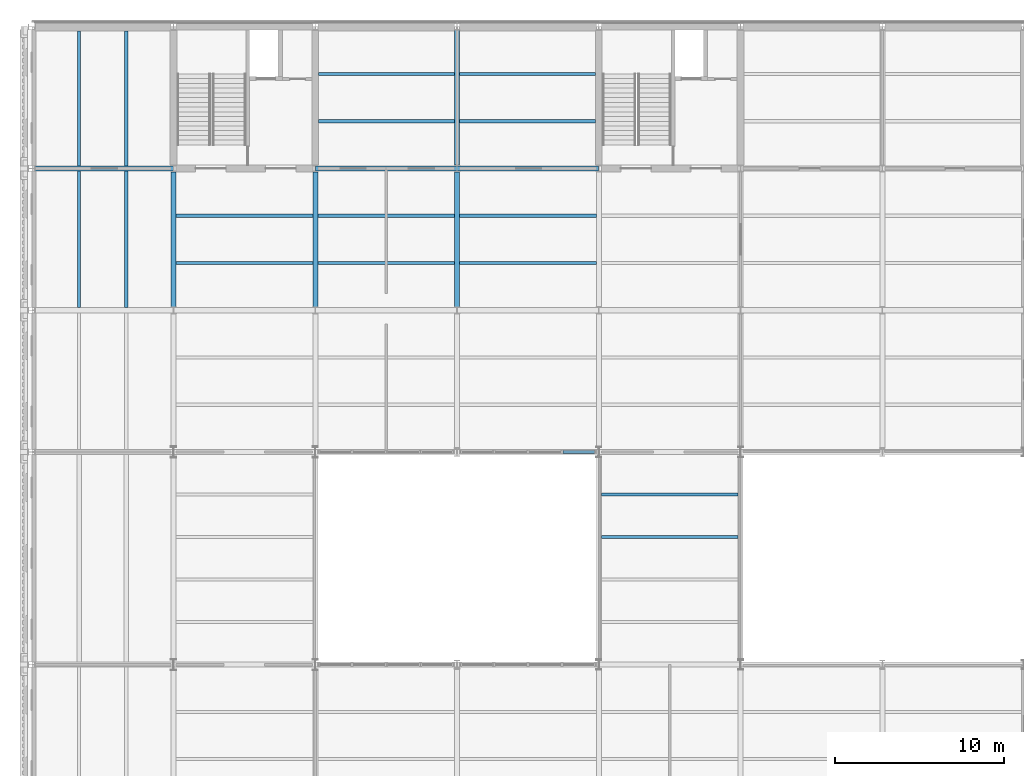
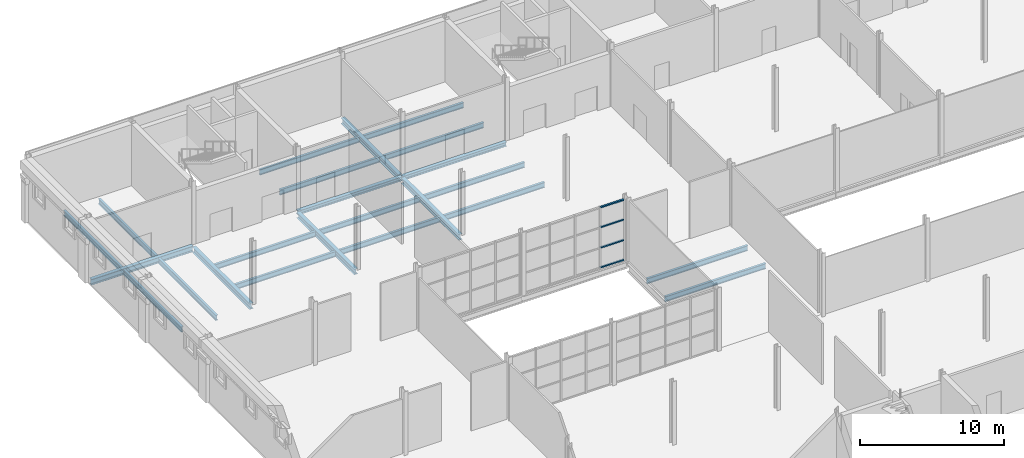
# One storey, part 15 of 57: 23 beams, 4 members, 1 element without a shape of its own.
"""IFC4 building model written with IfcOpenShell, lengths in metres."""

from ifc_helpers import new_model, si_unit, direction, frame, origin, origin_2d, place, context, subcontext, project, spatial, hollow_rectangle, i_section, extrude, material, layer, layer_set, material_profile, profile_set, type_object, element, aggregate, save


model = new_model("IFC4")

# Units and contexts
model_context = context("Model", 3, precision=1e-05, world=origin(), true_north=direction((0.0, 1.0)))
body_context = subcontext(model_context, "Body", "Model", "MODEL_VIEW")
ifc_project = project(units=[si_unit("LENGTHUNIT", "METRE"), si_unit("AREAUNIT", "SQUARE_METRE"), si_unit("VOLUMEUNIT", "CUBIC_METRE"), si_unit("PLANEANGLEUNIT", "RADIAN"), si_unit("MASSUNIT", "GRAM", prefix="KILO")], contexts=[model_context])

# Site, building, storey
site_placement = place(None, origin())
site = spatial("IfcSite", under=ifc_project, at=site_placement, CompositionType="ELEMENT")
building_placement = place(site_placement, origin())
building = spatial("IfcBuilding", under=site, at=building_placement, Name="Galleria Vessillo Department Store", CompositionType="ELEMENT")
storey_placement = place(building_placement, frame((0.0, 0.0, 25.800048828125)))
storey = spatial("IfcBuildingStorey", under=building, at=storey_placement, Name="L05", CompositionType="ELEMENT", Elevation=25.800048828125)

# Beams
ifc_material_1 = material(Name="Steel S355 J2", Category="steel")
ifc_material_profile_1 = material_profile(ifc_material_1, i_section(OverallWidth=0.300048828125, OverallDepth=0.489990234375, WebThickness=0.011962890625, FlangeThickness=0.02294921875, FilletRadius=0.027099609375, at=origin_2d()), Name="HEA 500")
ifc_profile_set_1 = profile_set([ifc_material_profile_1], Name="Steel S355 J2")
beam_type_1 = type_object("IfcBeamType", Name="Floor girder HEA 500", PredefinedType="BEAM", material=ifc_profile_set_1)
beam_placement = place(storey_placement, frame((0.2001953125, 54.60009765625, -0.39501953125), z_axis=(1.0, 0.0, 0.0), x_axis=(0.0, 1.0, 0.0)))
element("IfcBeam", 1, at=beam_placement, inside=storey, type_object=beam_type_1, Name="S-BM-L05-GI-x54600-200", PredefinedType="BEAM", context=body_context, shape_type="SweptSolid", body=[
    extrude(i_section(OverallWidth=0.300048828125, OverallDepth=0.489990234375, WebThickness=0.011962890625, FlangeThickness=0.02294921875, FilletRadius=0.027099609375, at=origin_2d()), origin(), (0.0, 0.0, 1.0), 8.19287109375),
])
for number, where, z_axis, x_axis, name in (
    (2, (8.39990234375, 46.400146484375, -0.39501953125), (0.0, 1.0, 0.0), (-1.0, 0.0, 0.0), "S-BM-L05-GI-y8400-46400"),
    (3, (16.800048828125, 46.400146484375, -0.39501953125), (0.0, 1.0, 0.0), (-1.0, 0.0, 0.0), "S-BM-L05-GI-y16800-46400"),
    (4, (25.199951171875, 46.400146484375, -0.39501953125), (0.0, 1.0, 0.0), (-1.0, 0.0, 0.0), "S-BM-L05-GI-y25200-46400"),
    (5, (25.199951171875, 54.800048828125, -0.39501953125), (0.0, 1.0, 0.0), (-1.0, 0.0, 0.0), "S-BM-L05-GI-y25200-54800"),
):
    element("IfcBeam", number, at=place(storey_placement, frame(where, z_axis=z_axis, x_axis=x_axis)), inside=storey, type_object=beam_type_1, Name=name, PredefinedType="BEAM", context=body_context, shape_type="SweptSolid", body=[
        extrude(i_section(OverallWidth=0.300048828125, OverallDepth=0.489990234375, WebThickness=0.011962890625, FlangeThickness=0.02294921875, FilletRadius=0.027099609375, at=origin_2d()), origin(), (0.0, 0.0, 1.0), 7.999755859375),
    ])
ifc_material_2 = material(Name="Steel S355 J2", Category="steel")
ifc_material_profile_2 = material_profile(ifc_material_2, i_section(OverallWidth=0.18994140625, OverallDepth=0.449951171875, WebThickness=0.009521484375, FlangeThickness=0.0146484375, FilletRadius=0.02099609375, at=origin_2d()), Name="IPE 450")
ifc_profile_set_2 = profile_set([ifc_material_profile_2], Name="Steel S355 J2")
beam_type_2 = type_object("IfcBeamType", Name="Floor joist IPE 450", PredefinedType="JOIST", material=ifc_profile_set_2)
for number, where, z_axis, x_axis, name in (
    (6, (2.800048828125, 46.35009765625, -0.375), (0.0, 1.0, 0.0), (-1.0, 0.0, 0.0), "S-BM-L05-JO-y2800-46350"),
    (7, (5.60009765625, 46.35009765625, -0.375), (0.0, 1.0, 0.0), (-1.0, 0.0, 0.0), "S-BM-L05-JO-y5600-46350"),
):
    element("IfcBeam", number, at=place(storey_placement, frame(where, z_axis=z_axis, x_axis=x_axis)), inside=storey, type_object=beam_type_2, Name=name, PredefinedType="JOIST", context=body_context, shape_type="SweptSolid", body=[
        extrude(i_section(OverallWidth=0.18994140625, OverallDepth=0.449951171875, WebThickness=0.009521484375, FlangeThickness=0.0146484375, FilletRadius=0.02099609375, at=origin_2d()), origin(), (0.0, 0.0, 1.0), 8.099853515625),
    ])
for number, where, z_axis, x_axis, name in (
    (8, (2.800048828125, 54.750244140625, -0.375), (0.0, 1.0, 0.0), (-1.0, 0.0, 0.0), "S-BM-L05-JO-y2800-54750"),
    (9, (5.60009765625, 54.750244140625, -0.375), (0.0, 1.0, 0.0), (-1.0, 0.0, 0.0), "S-BM-L05-JO-y5600-54750"),
):
    element("IfcBeam", number, at=place(storey_placement, frame(where, z_axis=z_axis, x_axis=x_axis)), inside=storey, type_object=beam_type_2, Name=name, PredefinedType="JOIST", context=body_context, shape_type="SweptSolid", body=[
        extrude(i_section(OverallWidth=0.18994140625, OverallDepth=0.449951171875, WebThickness=0.009521484375, FlangeThickness=0.0146484375, FilletRadius=0.02099609375, at=origin_2d()), origin(), (0.0, 0.0, 1.0), 7.99951171875),
    ])
for number, where, z_axis, x_axis, name in (
    (10, (8.550048828125, 49.0, -0.375), (1.0, 0.0, 0.0), (0.0, 1.0, 0.0), "S-BM-L05-JO-x49000-8550"),
    (11, (8.550048828125, 51.800048828125, -0.375), (1.0, 0.0, 0.0), (0.0, 1.0, 0.0), "S-BM-L05-JO-x51800-8550"),
):
    element("IfcBeam", number, at=place(storey_placement, frame(where, z_axis=z_axis, x_axis=x_axis)), inside=storey, type_object=beam_type_2, Name=name, PredefinedType="JOIST", context=body_context, shape_type="SweptSolid", body=[
        extrude(i_section(OverallWidth=0.18994140625, OverallDepth=0.449951171875, WebThickness=0.009521484375, FlangeThickness=0.0146484375, FilletRadius=0.02099609375, at=origin_2d()), origin(), (0.0, 0.0, 1.0), 8.099853515625),
    ])
for number, where, z_axis, x_axis, name in (
    (12, (16.9501953125, 49.0, -0.375), (1.0, 0.0, 0.0), (0.0, 1.0, 0.0), "S-BM-L05-JO-x49000-16950"),
    (13, (16.9501953125, 51.800048828125, -0.375), (1.0, 0.0, 0.0), (0.0, 1.0, 0.0), "S-BM-L05-JO-x51800-16950"),
):
    element("IfcBeam", number, at=place(storey_placement, frame(where, z_axis=z_axis, x_axis=x_axis)), inside=storey, type_object=beam_type_2, Name=name, PredefinedType="JOIST", context=body_context, shape_type="SweptSolid", body=[
        extrude(i_section(OverallWidth=0.18994140625, OverallDepth=0.449951171875, WebThickness=0.009521484375, FlangeThickness=0.0146484375, FilletRadius=0.02099609375, at=origin_2d()), origin(), (0.0, 0.0, 1.0), 8.099609375),
    ])
for number, where, z_axis, x_axis, name in (
    (14, (17.000244140625, 57.39990234375, -0.375), (1.0, 0.0, 0.0), (0.0, 1.0, 0.0), "S-BM-L05-JO-x57400-17000"),
    (15, (17.000244140625, 60.199951171875, -0.375), (1.0, 0.0, 0.0), (0.0, 1.0, 0.0), "S-BM-L05-JO-x60200-17000"),
):
    element("IfcBeam", number, at=place(storey_placement, frame(where, z_axis=z_axis, x_axis=x_axis)), inside=storey, type_object=beam_type_2, Name=name, PredefinedType="JOIST", context=body_context, shape_type="SweptSolid", body=[
        extrude(i_section(OverallWidth=0.18994140625, OverallDepth=0.449951171875, WebThickness=0.009521484375, FlangeThickness=0.0146484375, FilletRadius=0.02099609375, at=origin_2d()), origin(), (0.0, 0.0, 1.0), 8.049560546875),
    ])
for number, where, z_axis, x_axis, name in (
    (16, (25.35009765625, 49.0, -0.375), (1.0, 0.0, 0.0), (0.0, 1.0, 0.0), "S-BM-L05-JO-x49000-25350"),
    (17, (25.35009765625, 51.800048828125, -0.375), (1.0, 0.0, 0.0), (0.0, 1.0, 0.0), "S-BM-L05-JO-x51800-25350"),
):
    element("IfcBeam", number, at=place(storey_placement, frame(where, z_axis=z_axis, x_axis=x_axis)), inside=storey, type_object=beam_type_2, Name=name, PredefinedType="JOIST", context=body_context, shape_type="SweptSolid", body=[
        extrude(i_section(OverallWidth=0.18994140625, OverallDepth=0.449951171875, WebThickness=0.009521484375, FlangeThickness=0.0146484375, FilletRadius=0.02099609375, at=origin_2d()), origin(), (0.0, 0.0, 1.0), 8.099853515625),
    ])
for number, where, z_axis, x_axis, name in (
    (18, (25.35009765625, 57.39990234375, -0.375), (1.0, 0.0, 0.0), (0.0, 1.0, 0.0), "S-BM-L05-JO-x57400-25350"),
    (19, (25.35009765625, 60.199951171875, -0.375), (1.0, 0.0, 0.0), (0.0, 1.0, 0.0), "S-BM-L05-JO-x60200-25350"),
):
    element("IfcBeam", number, at=place(storey_placement, frame(where, z_axis=z_axis, x_axis=x_axis)), inside=storey, type_object=beam_type_2, Name=name, PredefinedType="JOIST", context=body_context, shape_type="SweptSolid", body=[
        extrude(i_section(OverallWidth=0.18994140625, OverallDepth=0.449951171875, WebThickness=0.009521484375, FlangeThickness=0.0146484375, FilletRadius=0.02099609375, at=origin_2d()), origin(), (0.0, 0.0, 1.0), 8.0498046875),
    ])
for number, where, z_axis, x_axis, name in (
    (20, (33.750244140625, 32.760009765625, -0.375), (1.0, 0.0, 0.0), (0.0, 1.0, 0.0), "S-BM-L05-JO-x32760-33750"),
    (21, (33.750244140625, 35.280029296875, -0.375), (1.0, 0.0, 0.0), (0.0, 1.0, 0.0), "S-BM-L05-JO-x35280-33750"),
):
    element("IfcBeam", number, at=place(storey_placement, frame(where, z_axis=z_axis, x_axis=x_axis)), inside=storey, type_object=beam_type_2, Name=name, PredefinedType="JOIST", context=body_context, shape_type="SweptSolid", body=[
        extrude(i_section(OverallWidth=0.18994140625, OverallDepth=0.449951171875, WebThickness=0.009521484375, FlangeThickness=0.0146484375, FilletRadius=0.02099609375, at=origin_2d()), origin(), (0.0, 0.0, 1.0), 8.099609375),
    ])
ifc_material_3 = material(Name="Steel S355 J2", Category="steel")
ifc_material_profile_3 = material_profile(ifc_material_3, i_section(OverallWidth=0.300048828125, OverallDepth=0.35009765625, WebThickness=0.010009765625, FlangeThickness=0.017578125, FilletRadius=0.027099609375, at=origin_2d()), Name="HEA 360")
ifc_profile_set_3 = profile_set([ifc_material_profile_3], Name="Steel S355 J2")
beam_type_3 = type_object("IfcBeamType", Name="Floor tie girder HEA 360", PredefinedType="BEAM", material=ifc_profile_set_3)
for number, where, z_axis, x_axis, name in (
    (22, (16.806884765625, 54.60009765625, -0.324951171875), (1.0, 0.0, 0.0), (0.0, 1.0, 0.0), "S-BM-L05-TI-x54600-16807"),
    (23, (25.206787109375, 54.60009765625, -0.324951171875), (1.0, 0.0, 0.0), (0.0, 1.0, 0.0), "S-BM-L05-TI-x54600-25207"),
):
    element("IfcBeam", number, at=place(storey_placement, frame(where, z_axis=z_axis, x_axis=x_axis)), inside=storey, type_object=beam_type_3, Name=name, PredefinedType="BEAM", context=body_context, shape_type="SweptSolid", body=[
        extrude(i_section(OverallWidth=0.300048828125, OverallDepth=0.35009765625, WebThickness=0.010009765625, FlangeThickness=0.017578125, FilletRadius=0.027099609375, at=origin_2d()), origin(), (0.0, 0.0, 1.0), 8.38623046875),
    ])

# Curtain wall, members
ifc_material_4 = material(Name="Steel and fire-resisting glass curtain wall", Category="steel")
ifc_layer = layer(ifc_material_4, 0.199951171875)
ifc_layer_set = layer_set([ifc_layer], Name="Steel and fire-resisting glass curtain wall")
curtain_wall_type = type_object("IfcCurtainWallType", Name="Arcade fire-resisting glazed shopfront EI 120-Sa", PredefinedType="NOTDEFINED", material=ifc_layer_set)
curtain_wall_placement = place(storey_placement, origin())
curtain_wall = element("IfcCurtainWall", 24, at=curtain_wall_placement, inside=storey, type_object=curtain_wall_type, Name="Arcade fire-resisting glazed shopfront EI 120-Sa AI-AW-N-L05-02", PredefinedType="NOTDEFINED")
ifc_material_5 = material(Name="Steel S355 J2", Category="steel")
ifc_material_profile_4 = material_profile(ifc_material_5, hollow_rectangle(XDim=0.14990234375, YDim=0.10009765625, WallThickness=0.008056640625, at=origin_2d()), Name="RHS 150x100x8")
ifc_profile_set_4 = profile_set([ifc_material_profile_4], Name="Steel S355 J2")
member_type = type_object("IfcMemberType", Name="Steel transom RHS 150x100x8", PredefinedType="USERDEFINED", material=ifc_profile_set_4)
member_1_placement = place(storey_placement, frame((31.473876953125, 37.800048828125, 0.050048828125), z_axis=(1.0, 0.0, 0.0), x_axis=(0.0, 1.0, 0.0)))
member_1 = element("IfcMember", 25, at=member_1_placement, type_object=member_type, Name="CW7 transom 4.1", ObjectType="TRANSOM", PredefinedType="USERDEFINED", context=body_context, shape_type="SweptSolid", body=[
    extrude(hollow_rectangle(XDim=0.14990234375, YDim=0.10009765625, WallThickness=0.008056640625, at=origin_2d()), origin(), (0.0, 0.0, 1.0), 1.87353515625),
])
member_2_placement = place(storey_placement, frame((31.473876953125, 37.800048828125, 1.7333984375), z_axis=(1.0, 0.0, 0.0), x_axis=(0.0, 1.0, 0.0)))
member_2 = element("IfcMember", 26, at=member_2_placement, type_object=member_type, Name="CW7 transom 4.2", ObjectType="TRANSOM", PredefinedType="USERDEFINED", context=body_context, shape_type="SweptSolid", body=[
    extrude(hollow_rectangle(XDim=0.14990234375, YDim=0.10009765625, WallThickness=0.008056640625, at=origin_2d()), origin(), (0.0, 0.0, 1.0), 1.87353515625),
])
member_3_placement = place(storey_placement, frame((31.473876953125, 37.800048828125, 3.466552734375), z_axis=(1.0, 0.0, 0.0), x_axis=(0.0, 1.0, 0.0)))
member_3 = element("IfcMember", 27, at=member_3_placement, type_object=member_type, Name="CW7 transom 4.3", ObjectType="TRANSOM", PredefinedType="USERDEFINED", context=body_context, shape_type="SweptSolid", body=[
    extrude(hollow_rectangle(XDim=0.14990234375, YDim=0.10009765625, WallThickness=0.008056640625, at=origin_2d()), origin(), (0.0, 0.0, 1.0), 1.87353515625),
])
member_4_placement = place(storey_placement, frame((31.473876953125, 37.800048828125, 5.14990234375), z_axis=(1.0, 0.0, 0.0), x_axis=(0.0, 1.0, 0.0)))
member_4 = element("IfcMember", 28, at=member_4_placement, type_object=member_type, Name="CW7 transom 4.4", ObjectType="TRANSOM", PredefinedType="USERDEFINED", context=body_context, shape_type="SweptSolid", body=[
    extrude(hollow_rectangle(XDim=0.14990234375, YDim=0.10009765625, WallThickness=0.008056640625, at=origin_2d()), origin(), (0.0, 0.0, 1.0), 1.87353515625),
])
aggregate(curtain_wall, [member_1, member_2, member_3, member_4])

save(model, "model.ifc")
